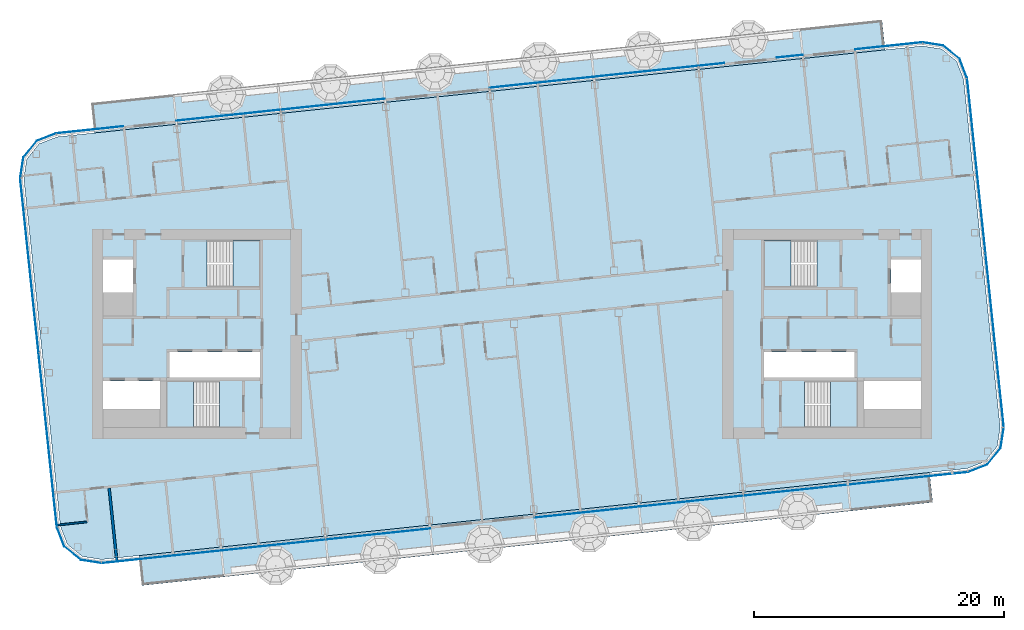
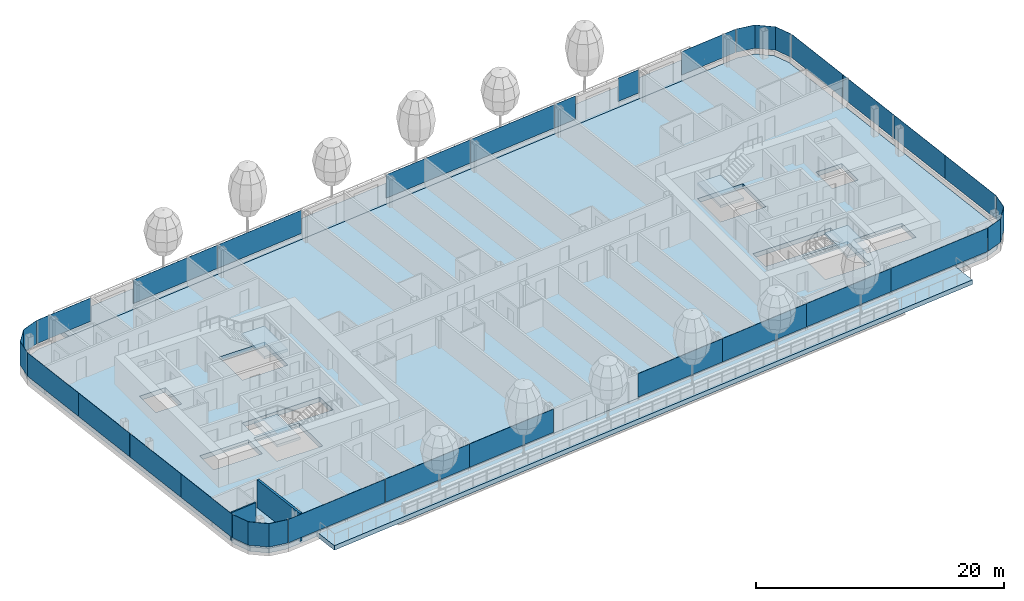
# One storey, part 11 of 30: 27 plates, 7 slabs, 2 walls, 12 elements without a shape of their own.
"""IFC4 building model written with IfcOpenShell, lengths in metres."""

import ifcopenshell
import ifcopenshell.guid

model = None  # the IFC model being written
_history = None  # IfcOwnerHistory: only IFC2X3 demands one
_inside = {}  # id of a spatial element -> (the spatial element, [elements in it])
_under = {}  # id of a project, library or spatial element -> (it, [spatial elements below it])
_declared = {}  # id of a project -> (the project, [libraries it declares])
_typed = {}  # id of a type object -> (the type object, [elements of that type])
_made_of = {}  # id of a material, layer set ... -> (it, [elements and type objects made of it])


def new_model(schema):
    """Start an empty IFC model of exactly this schema.

    Asked for "IFC4X3", IfcOpenShell would pick the latest addendum, in which some entities
    have other attributes; the version numbers below select the first issue.
    IFC2X3 requires an IfcOwnerHistory on every rooted entity: one is made here for all.
    """
    global model, _history
    if schema == "IFC4X3":
        model = ifcopenshell.file(schema_version=(4, 3, 0, 0))
    else:
        model = ifcopenshell.file(schema=schema)
    _inside.clear()
    _under.clear()
    _declared.clear()
    _typed.clear()
    _made_of.clear()
    _history = None
    if model.schema == "IFC2X3":
        org = make("IfcOrganization", Name="unknown")
        user = make(
            "IfcPersonAndOrganization",
            ThePerson=make("IfcPerson", FamilyName="unknown"),
            TheOrganization=org,
        )
        app = make(
            "IfcApplication",
            ApplicationDeveloper=org,
            Version="unknown",
            ApplicationFullName="unknown",
            ApplicationIdentifier="unknown",
        )
        _history = make(
            "IfcOwnerHistory",
            OwningUser=user,
            OwningApplication=app,
            ChangeAction="ADDED",
            CreationDate=0,
        )
    return model


def make(cls, **values):
    """One entity of the class cls with the attributes given. An attribute that is None is left unset."""
    return model.create_entity(
        cls, **{name: value for name, value in values.items() if value is not None}
    )


def rooted(cls, **values):
    """An entity with a GlobalId (a new one), such as an element, a storey or a relation."""
    return make(cls, GlobalId=ifcopenshell.guid.new(), OwnerHistory=_history, **values)


def si_unit(unit_type, name, prefix=None):
    """IfcSIUnit, for example si_unit("LENGTHUNIT", "METRE", prefix="MILLI")."""
    return make("IfcSIUnit", UnitType=unit_type, Prefix=prefix, Name=name)


def assignment(units):
    """IfcUnitAssignment: the units of a project."""
    return None if units is None else make("IfcUnitAssignment", Units=units)


def point(xyz):
    """IfcCartesianPoint."""
    return None if xyz is None else make("IfcCartesianPoint", Coordinates=xyz)


def direction(xyz):
    """IfcDirection."""
    return None if xyz is None else make("IfcDirection", DirectionRatios=xyz)


def frame(location, z_axis=None, x_axis=None):
    """IfcAxis2Placement3D, a coordinate frame: its origin and axes. An axis left out is left unset."""
    return make(
        "IfcAxis2Placement3D",
        Location=point(location),
        Axis=direction(z_axis),
        RefDirection=direction(x_axis),
    )


def frame_2d(location, x_axis=None):
    """IfcAxis2Placement2D, a coordinate frame in the plane: its origin and x axis."""
    return make(
        "IfcAxis2Placement2D", Location=point(location), RefDirection=direction(x_axis)
    )


def origin():
    """The frame at (0, 0, 0) with its axes left unset."""
    return frame((0.0, 0.0, 0.0))


def origin_2d():
    """The frame at (0, 0) in the plane with its x axis left unset."""
    return frame_2d((0.0, 0.0))


def place(relative_to, where):
    """IfcLocalPlacement: puts the frame where relative to a parent placement (None: the world)."""
    return make(
        "IfcLocalPlacement", PlacementRelTo=relative_to, RelativePlacement=where
    )


def context(
    kind, dimensions, precision=None, world=None, true_north=None, identifier=None
):
    """IfcGeometricRepresentationContext, for example the 3D "Model" context."""
    return make(
        "IfcGeometricRepresentationContext",
        ContextIdentifier=identifier,
        ContextType=kind,
        CoordinateSpaceDimension=dimensions,
        Precision=precision,
        WorldCoordinateSystem=world,
        TrueNorth=true_north,
    )


def subcontext(parent, identifier, kind, view, scale=None):
    """IfcGeometricRepresentationSubContext, for example "Body" below "Model"."""
    return make(
        "IfcGeometricRepresentationSubContext",
        ContextIdentifier=identifier,
        ContextType=kind,
        ParentContext=parent,
        TargetScale=scale,
        TargetView=view,
    )


def project(units=None, contexts=None):
    """IfcProject with its units and contexts."""
    return rooted(
        "IfcProject",
        Name="project",
        RepresentationContexts=contexts,
        UnitsInContext=assignment(units),
    )


def spatial(cls, under=None, at=None, **own):
    """A site, building, storey or space (cls), placed at a placement, below another one or the project."""
    s = rooted(cls, ObjectPlacement=at, **own)
    if under is not None:
        _under.setdefault(under.id(), (under, []))[1].append(s)
    return s


def polyline(points):
    """IfcPolyline through the points."""
    return make("IfcPolyline", Points=[point(p) for p in points])


def profile(cls, at=None, kind="AREA", **sizes):
    """A parametric profile (cls). Its sizes go by their IFC names, for example OverallWidth=200.0."""
    return make(cls, ProfileType=kind, Position=at, **sizes)


def rectangle(**sizes):
    """IfcRectangleProfileDef."""
    return profile("IfcRectangleProfileDef", **sizes)


def outline(outer, holes=None, kind="AREA"):
    """IfcArbitraryClosedProfileDef: a profile drawn as a closed curve; with holes, ...WithVoids."""
    if holes is None:
        return make("IfcArbitraryClosedProfileDef", ProfileType=kind, OuterCurve=outer)
    return make(
        "IfcArbitraryProfileDefWithVoids",
        ProfileType=kind,
        OuterCurve=outer,
        InnerCurves=holes,
    )


def extrude(swept, where, along, depth):
    """IfcExtrudedAreaSolid: the profile swept, set in the frame where, extruded along a direction by depth."""
    return make(
        "IfcExtrudedAreaSolid",
        SweptArea=swept,
        Position=where,
        ExtrudedDirection=direction(along),
        Depth=depth,
    )


def shape(context_of_items, identifier, shape_type, items):
    """IfcShapeRepresentation: the items that make up one representation, for example the "Body"."""
    return make(
        "IfcShapeRepresentation",
        ContextOfItems=context_of_items,
        RepresentationIdentifier=identifier,
        RepresentationType=shape_type,
        Items=items,
    )


def material(Name=None, Category=None):
    """IfcMaterial."""
    return make("IfcMaterial", Name=Name, Category=Category)


def layer(
    of_material, thickness, ventilated=None, Name=None, Category=None, Priority=None
):
    """IfcMaterialLayer: one layer of a wall or slab, of a material (None: an air gap)."""
    return make(
        "IfcMaterialLayer",
        Material=of_material,
        LayerThickness=thickness,
        IsVentilated=ventilated,
        Name=Name,
        Category=Category,
        Priority=Priority,
    )


def layer_set(layers, Name=None):
    """IfcMaterialLayerSet."""
    return make("IfcMaterialLayerSet", MaterialLayers=layers, LayerSetName=Name)


def made_of(thing, what):
    """Note that an element or type object is made of a material, layer set ...; save() writes the relation."""
    if what is not None:
        _made_of.setdefault(what.id(), (what, []))[1].append(thing)
    return thing


def type_object(cls, material=None, **own):
    """A type object (cls), such as IfcWallType, which elements share."""
    return made_of(rooted(cls, **own), material)


def element(
    cls,
    number,
    at=None,
    inside=None,
    cuts=None,
    type_object=None,
    material=None,
    context=None,
    identifier="Body",
    shape_type=None,
    held_by="IfcProductDefinitionShape",
    body=None,
    shapes=None,
    **own,
):
    """One element of the class cls, such as IfcWall. Its Tag is "e" and its number.

    at: its placement. inside: the storey or other place that contains it. cuts: it is an
    opening in that element (IfcRelVoidsElement). A single representation is given by context,
    identifier, shape_type and body (its items); several are given by shapes. held_by: the class
    of the entity that holds the representations. save() writes the other relations.
    """
    e = rooted(cls, Tag="e%d" % number, ObjectPlacement=at, **own)
    if body is not None:
        shapes = [shape(context, identifier, shape_type, body)]
    if shapes is not None:
        e.Representation = make(held_by, Representations=shapes)
    if inside is not None:
        _inside.setdefault(inside.id(), (inside, []))[1].append(e)
    if cuts is not None:
        rooted(
            "IfcRelVoidsElement", RelatingBuildingElement=cuts, RelatedOpeningElement=e
        )
    if type_object is not None:
        _typed.setdefault(type_object.id(), (type_object, []))[1].append(e)
    return made_of(e, material)


def aggregate(whole, parts):
    """IfcRelAggregates: a whole, such as a stair, and the parts it consists of."""
    return rooted("IfcRelAggregates", RelatingObject=whole, RelatedObjects=parts)


def save(model, path):
    """Write the relations noted so far, then the file.

    IfcRelAggregates (storeys below a building ...), IfcRelContainedInSpatialStructure (elements
    in a storey), IfcRelDefinesByType, IfcRelAssociatesMaterial and IfcRelDeclares: one each for
    every whole, place, type object, material and project.
    """
    for whole, parts in _under.values():
        aggregate(whole, parts)
    for where, things in _inside.values():
        rooted(
            "IfcRelContainedInSpatialStructure",
            RelatedElements=things,
            RelatingStructure=where,
        )
    for kind, things in _typed.values():
        rooted("IfcRelDefinesByType", RelatedObjects=things, RelatingType=kind)
    for what, things in _made_of.values():
        rooted("IfcRelAssociatesMaterial", RelatedObjects=things, RelatingMaterial=what)
    for by, libraries in _declared.values():
        rooted("IfcRelDeclares", RelatingContext=by, RelatedDefinitions=libraries)
    model.write(path)


model = new_model("IFC4")

# Units and contexts
model_context = context("Model", 3, precision=1e-05, world=origin(), true_north=direction((0.0, 1.0)))
body_context = subcontext(model_context, "Body", "Model", "MODEL_VIEW")
ifc_project = project(units=[si_unit("LENGTHUNIT", "METRE"), si_unit("AREAUNIT", "SQUARE_METRE"), si_unit("VOLUMEUNIT", "CUBIC_METRE"), si_unit("PLANEANGLEUNIT", "RADIAN"), si_unit("MASSUNIT", "GRAM", prefix="KILO")], contexts=[model_context])

# Site, building, storey
site_placement = place(None, origin())
site = spatial("IfcSite", under=ifc_project, at=site_placement, CompositionType="ELEMENT")
building_placement = place(site_placement, origin())
building = spatial("IfcBuilding", under=site, at=building_placement, Name="Hakoniwa Tower and Hamabe Station Hall", CompositionType="ELEMENT")
storey_placement = place(building_placement, frame((0.0, 0.0, 245.39990234375)))
storey = spatial("IfcBuildingStorey", under=building, at=storey_placement, Name="L69", CompositionType="ELEMENT", Elevation=245.39990234375)

# Slabs
ifc_material_1 = material(Name="Concrete C42", Category="concrete")
ifc_layer_1 = layer(ifc_material_1, 0.25)
ifc_layer_set_1 = layer_set([ifc_layer_1], Name="BALCONY SLAB 250")
slab_type_1 = type_object("IfcSlabType", Name="BALCONY SLAB 250", PredefinedType="FLOOR", material=ifc_layer_set_1)
slab_1_placement = place(storey_placement, frame((0.0, 0.0, -0.449951171875)))
element("IfcSlab", 1, at=slab_1_placement, inside=storey, type_object=slab_type_1, Name="Balcony slab L69 BAL-L69-N", PredefinedType="FLOOR", context=body_context, shape_type="SweptSolid", body=[
    extrude(outline(polyline([(-33.40283203125, 16.0830078125), (29.848876953125, 22.73095703125), (29.597900390625, 25.11767578125), (-33.653564453125, 18.4697265625), (-33.40283203125, 16.0830078125)])), origin(), (0.0, 0.0, 1.0), 0.449951171875),
])
slab_2_placement = place(storey_placement, frame((0.0, 0.0, -0.449951171875)))
element("IfcSlab", 2, at=slab_2_placement, inside=storey, type_object=slab_type_1, Name="Balcony slab L69 BAL-L69-S", PredefinedType="FLOOR", context=body_context, shape_type="SweptSolid", body=[
    extrude(outline(polyline([(-29.597900390625, -20.11767578125), (33.653564453125, -13.4697265625), (33.40283203125, -11.0830078125), (-29.848876953125, -17.73095703125), (-29.597900390625, -20.11767578125)])), origin(), (0.0, 0.0, 1.0), 0.449951171875),
])

# Stair, slab
ifc_material_2 = material(Name="Concrete C40", Category="concrete")
stair_type = type_object("IfcStairType", Name="ESCAPE STAIR 1800", PredefinedType="HALF_TURN_STAIR", material=ifc_material_2)
stair_1_placement = place(storey_placement, origin())
stair_1 = element("IfcStair", 3, at=stair_1_placement, inside=storey, type_object=stair_type, Name="Escape stair ST-1 L69", PredefinedType="HALF_TURN_STAIR")
ifc_material_3 = material(Name="Concrete C40", Category="concrete")
ifc_layer_2 = layer(ifc_material_3, 0.25)
ifc_layer_set_2 = layer_set([ifc_layer_2], Name="CORE STAIR LANDING 250")
slab_type_2 = type_object("IfcSlabType", Name="CORE STAIR LANDING 250", PredefinedType="LANDING", material=ifc_layer_set_2)
slab_3_placement = place(storey_placement, frame((0.0, 0.0, 1.35009765625)))
slab_3 = element("IfcSlab", 4, at=slab_3_placement, type_object=slab_type_2, Name="ST-1 landing 1", PredefinedType="LANDING", context=body_context, shape_type="SweptSolid", body=[
    extrude(outline(polyline([(-22.320068359375, 3.75), (-20.14990234375, 3.75), (-20.14990234375, 7.5), (-22.320068359375, 7.5), (-22.320068359375, 3.75)])), origin(), (0.0, 0.0, 1.0), 0.25),
])
aggregate(stair_1, [slab_3])

stair_2_placement = place(storey_placement, origin())
stair_2 = element("IfcStair", 5, at=stair_2_placement, inside=storey, type_object=stair_type, Name="Escape stair ST-2 L69", PredefinedType="HALF_TURN_STAIR")
slab_4_placement = place(storey_placement, frame((0.0, 0.0, 1.35009765625)))
slab_4 = element("IfcSlab", 6, at=slab_4_placement, type_object=slab_type_2, Name="ST-2 landing 1", PredefinedType="LANDING", context=body_context, shape_type="SweptSolid", body=[
    extrude(outline(polyline([(-25.47998046875, -7.5), (-27.64990234375, -7.5), (-27.64990234375, -3.75), (-25.47998046875, -3.75), (-25.47998046875, -7.5)])), origin(), (0.0, 0.0, 1.0), 0.25),
])
aggregate(stair_2, [slab_4])

stair_3_placement = place(storey_placement, origin())
stair_3 = element("IfcStair", 7, at=stair_3_placement, inside=storey, type_object=stair_type, Name="Escape stair ST-3 L69", PredefinedType="HALF_TURN_STAIR")
slab_5_placement = place(storey_placement, frame((0.0, 0.0, 1.35009765625)))
slab_5 = element("IfcSlab", 8, at=slab_5_placement, type_object=slab_type_2, Name="ST-3 landing 1", PredefinedType="LANDING", context=body_context, shape_type="SweptSolid", body=[
    extrude(outline(polyline([(22.320068359375, 3.75), (20.14990234375, 3.75), (20.14990234375, 7.5), (22.320068359375, 7.5), (22.320068359375, 3.75)])), origin(), (0.0, 0.0, 1.0), 0.25),
])
aggregate(stair_3, [slab_5])

stair_4_placement = place(storey_placement, origin())
stair_4 = element("IfcStair", 9, at=stair_4_placement, inside=storey, type_object=stair_type, Name="Escape stair ST-4 L69", PredefinedType="HALF_TURN_STAIR")
slab_6_placement = place(storey_placement, frame((0.0, 0.0, 1.35009765625)))
slab_6 = element("IfcSlab", 10, at=slab_6_placement, type_object=slab_type_2, Name="ST-4 landing 1", PredefinedType="LANDING", context=body_context, shape_type="SweptSolid", body=[
    extrude(outline(polyline([(25.47998046875, -7.5), (27.64990234375, -7.5), (27.64990234375, -3.75), (25.47998046875, -3.75), (25.47998046875, -7.5)])), origin(), (0.0, 0.0, 1.0), 0.25),
])
aggregate(stair_4, [slab_6])

# Curtain wall, plates
ifc_material_4 = material(Name="Dark low-e laminated glass", Category="glass")
ifc_layer_3 = layer(ifc_material_4, 0.199951171875)
ifc_layer_set_3 = layer_set([ifc_layer_3], Name="CW-1 UNITISED GUEST")
curtain_wall_type = type_object("IfcCurtainWallType", Name="CW-1 UNITISED GUEST", PredefinedType="NOTDEFINED", material=ifc_layer_set_3)
curtain_wall_1_placement = place(storey_placement, origin())
curtain_wall_1 = element("IfcCurtainWall", 11, at=curtain_wall_1_placement, inside=storey, type_object=curtain_wall_type, Name="CW-1 curtain wall", PredefinedType="NOTDEFINED")
ifc_material_5 = material(Name="Dark low-e laminated glass", Category="glass")
ifc_layer_4 = layer(ifc_material_5, 0.028076171875)
ifc_layer_set_4 = layer_set([ifc_layer_4], Name="CW-1 GLASS UNIT")
plate_type = type_object("IfcPlateType", Name="CW-1 GLASS UNIT", PredefinedType="CURTAIN_PANEL", material=ifc_layer_set_4)
plate_1_placement = place(storey_placement, frame((38.97802734375, -3.990966796875, 0.35009765625), z_axis=(0.0, 0.0, 1.0), x_axis=(-0.104528468631, 0.994521894805, 0.0)))
plate_1 = element("IfcPlate", 12, at=plate_1_placement, type_object=plate_type, Name="CW-1 glass unit", PredefinedType="CURTAIN_PANEL", context=body_context, shape_type="SweptSolid", body=[
    extrude(rectangle(XDim=6.999755859375, YDim=0.028076171875, at=origin_2d()), origin(), (0.0, 0.0, 1.0), 2.300048828125),
])
plate_2_placement = place(storey_placement, frame((38.244140625, 2.990478515625, 0.35009765625), z_axis=(0.0, 0.0, 1.0), x_axis=(-0.104528468631, 0.994521894805, 0.0)))
plate_2 = element("IfcPlate", 13, at=plate_2_placement, type_object=plate_type, Name="CW-1 glass unit", PredefinedType="CURTAIN_PANEL", context=body_context, shape_type="SweptSolid", body=[
    extrude(rectangle(XDim=6.999755859375, YDim=0.028076171875, at=origin_2d()), origin(), (0.0, 0.0, 1.0), 2.300048828125),
])
plate_3_placement = place(storey_placement, frame((37.510498046875, 9.9716796875, 0.35009765625), z_axis=(0.0, 0.0, 1.0), x_axis=(-0.104528468631, 0.994521894805, 0.0)))
plate_3 = element("IfcPlate", 14, at=plate_3_placement, type_object=plate_type, Name="CW-1 glass unit", PredefinedType="CURTAIN_PANEL", context=body_context, shape_type="SweptSolid", body=[
    extrude(rectangle(XDim=6.999755859375, YDim=0.028076171875, at=origin_2d()), origin(), (0.0, 0.0, 1.0), 2.300048828125),
])
plate_4_placement = place(storey_placement, frame((36.776611328125, 16.953125, 0.35009765625), z_axis=(0.0, 0.0, 1.0), x_axis=(-0.104528468631, 0.994521894805, 0.0)))
plate_4 = element("IfcPlate", 15, at=plate_4_placement, type_object=plate_type, Name="CW-1 glass unit", PredefinedType="CURTAIN_PANEL", context=body_context, shape_type="SweptSolid", body=[
    extrude(rectangle(XDim=6.999755859375, YDim=0.028076171875, at=origin_2d()), origin(), (0.0, 0.0, 1.0), 2.300048828125),
])
aggregate(curtain_wall_1, [plate_1, plate_2, plate_3, plate_4])

# Curtain wall, plate
curtain_wall_2_placement = place(storey_placement, origin())
curtain_wall_2 = element("IfcCurtainWall", 16, at=curtain_wall_2_placement, inside=storey, type_object=curtain_wall_type, Name="CW-1 curtain wall", PredefinedType="NOTDEFINED")
plate_5_placement = place(storey_placement, frame((0.0, 0.0, 0.35009765625)))
plate_5 = element("IfcPlate", 17, at=plate_5_placement, type_object=plate_type, Name="CW-1 curved corner unit", PredefinedType="CURTAIN_PANEL", context=body_context, shape_type="SweptSolid", body=[
    extrude(outline(polyline([(36.409423828125, 20.482421875), (35.82421875, 22.0068359375), (34.492431640625, 23.085205078125), (32.8798828125, 23.340576171875), (32.87548828125, 23.31298828125), (34.480712890625, 23.058837890625), (35.80078125, 21.98974609375), (36.38330078125, 20.472412109375), (36.409423828125, 20.482421875)])), origin(), (0.0, 0.0, 1.0), 2.300048828125),
])
aggregate(curtain_wall_2, [plate_5])

# Curtain wall, plates
curtain_wall_3_placement = place(storey_placement, origin())
curtain_wall_3 = element("IfcCurtainWall", 18, at=curtain_wall_3_placement, inside=storey, type_object=curtain_wall_type, Name="CW-1 curtain wall", PredefinedType="NOTDEFINED")
plate_6_placement = place(storey_placement, frame((30.15185546875, 23.05029296875, 0.35009765625), z_axis=(0.0, 0.0, 1.0), x_axis=(-0.994521895272, -0.104528464188, 0.0)))
plate_6 = element("IfcPlate", 19, at=plate_6_placement, type_object=plate_type, Name="CW-1 glass unit", PredefinedType="CURTAIN_PANEL", context=body_context, shape_type="SweptSolid", body=[
    extrude(rectangle(XDim=5.389404296875, YDim=0.028076171875, at=origin_2d()), origin(), (0.0, 0.0, 1.0), 2.300048828125),
])
plate_7_placement = place(storey_placement, frame((22.2109375, 22.215576171875, 0.35009765625), z_axis=(0.0, 0.0, 1.0), x_axis=(-0.994521895272, -0.104528464188, 0.0)))
plate_7 = element("IfcPlate", 20, at=plate_7_placement, type_object=plate_type, Name="CW-1 glass unit", PredefinedType="CURTAIN_PANEL", context=body_context, shape_type="SweptSolid", body=[
    extrude(rectangle(XDim=2.080078125, YDim=0.028076171875, at=origin_2d()), origin(), (0.0, 0.0, 1.0), 2.300048828125),
])
plate_8_placement = place(storey_placement, frame((15.9453125, 21.55712890625, 0.35009765625), z_axis=(0.0, 0.0, 1.0), x_axis=(-0.994521895272, -0.104528464188, 0.0)))
plate_8 = element("IfcPlate", 21, at=plate_8_placement, type_object=plate_type, Name="CW-1 glass unit", PredefinedType="CURTAIN_PANEL", context=body_context, shape_type="SweptSolid", body=[
    extrude(rectangle(XDim=2.080078125, YDim=0.028076171875, at=origin_2d()), origin(), (0.0, 0.0, 1.0), 2.300048828125),
])
plate_9_placement = place(storey_placement, frame((10.72412109375, 21.00830078125, 0.35009765625), z_axis=(0.0, 0.0, 1.0), x_axis=(-0.994521895272, -0.104528464188, 0.0)))
plate_9 = element("IfcPlate", 22, at=plate_9_placement, type_object=plate_type, Name="CW-1 glass unit", PredefinedType="CURTAIN_PANEL", context=body_context, shape_type="SweptSolid", body=[
    extrude(rectangle(XDim=8.3798828125, YDim=0.028076171875, at=origin_2d()), origin(), (0.0, 0.0, 1.0), 2.300048828125),
])
plate_10_placement = place(storey_placement, frame((2.3701171875, 20.13037109375, 0.35009765625), z_axis=(0.0, 0.0, 1.0), x_axis=(-0.994521895272, -0.104528464188, 0.0)))
plate_10 = element("IfcPlate", 23, at=plate_10_placement, type_object=plate_type, Name="CW-1 glass unit", PredefinedType="CURTAIN_PANEL", context=body_context, shape_type="SweptSolid", body=[
    extrude(rectangle(XDim=8.3798828125, YDim=0.028076171875, at=origin_2d()), origin(), (0.0, 0.0, 1.0), 2.300048828125),
])
plate_11_placement = place(storey_placement, frame((-14.337890625, 18.374267578125, 0.35009765625), z_axis=(0.0, 0.0, 1.0), x_axis=(-0.994521895272, -0.104528464188, 0.0)))
plate_11 = element("IfcPlate", 24, at=plate_11_placement, type_object=plate_type, Name="CW-1 glass unit", PredefinedType="CURTAIN_PANEL", context=body_context, shape_type="SweptSolid", body=[
    extrude(rectangle(XDim=8.3798828125, YDim=0.028076171875, at=origin_2d()), origin(), (0.0, 0.0, 1.0), 2.300048828125),
])
plate_12_placement = place(storey_placement, frame((-22.69189453125, 17.49609375, 0.35009765625), z_axis=(0.0, 0.0, 1.0), x_axis=(-0.994521895272, -0.104528464188, 0.0)))
plate_12 = element("IfcPlate", 25, at=plate_12_placement, type_object=plate_type, Name="CW-1 glass unit", PredefinedType="CURTAIN_PANEL", context=body_context, shape_type="SweptSolid", body=[
    extrude(rectangle(XDim=8.3798828125, YDim=0.028076171875, at=origin_2d()), origin(), (0.0, 0.0, 1.0), 2.300048828125),
])
plate_13_placement = place(storey_placement, frame((-33.765625, 16.332275390625, 0.35009765625), z_axis=(0.0, 0.0, 1.0), x_axis=(-0.994521895272, -0.104528464188, 0.0)))
plate_13 = element("IfcPlate", 26, at=plate_13_placement, type_object=plate_type, Name="CW-1 glass unit", PredefinedType="CURTAIN_PANEL", context=body_context, shape_type="SweptSolid", body=[
    extrude(rectangle(XDim=5.389404296875, YDim=0.028076171875, at=origin_2d()), origin(), (0.0, 0.0, 1.0), 2.300048828125),
])
aggregate(curtain_wall_3, [plate_6, plate_7, plate_8, plate_9, plate_10, plate_11, plate_12, plate_13])

# Curtain wall, plate
curtain_wall_4_placement = place(storey_placement, origin())
curtain_wall_4 = element("IfcCurtainWall", 27, at=curtain_wall_4_placement, inside=storey, type_object=curtain_wall_type, Name="CW-1 curtain wall", PredefinedType="NOTDEFINED")
plate_14_placement = place(storey_placement, frame((0.0, 0.0, 0.35009765625)))
plate_14 = element("IfcPlate", 28, at=plate_14_placement, type_object=plate_type, Name="CW-1 curved corner unit", PredefinedType="CURTAIN_PANEL", context=body_context, shape_type="SweptSolid", body=[
    extrude(outline(polyline([(-36.494384765625, 16.049072265625), (-38.0185546875, 15.464111328125), (-39.09716796875, 14.13232421875), (-39.3525390625, 12.51953125), (-39.324951171875, 12.51513671875), (-39.070556640625, 14.120361328125), (-38.001708984375, 15.440673828125), (-36.484375, 16.02294921875), (-36.494384765625, 16.049072265625)])), origin(), (0.0, 0.0, 1.0), 2.300048828125),
])
aggregate(curtain_wall_4, [plate_14])

# Curtain wall, plates
curtain_wall_5_placement = place(storey_placement, origin())
curtain_wall_5 = element("IfcCurtainWall", 29, at=curtain_wall_5_placement, inside=storey, type_object=curtain_wall_type, Name="CW-1 curtain wall", PredefinedType="NOTDEFINED")
plate_15_placement = place(storey_placement, frame((-38.97802734375, 8.990966796875, 0.35009765625), z_axis=(0.0, 0.0, 1.0), x_axis=(0.104528468631, -0.994521894805, 0.0)))
plate_15 = element("IfcPlate", 30, at=plate_15_placement, type_object=plate_type, Name="CW-1 glass unit", PredefinedType="CURTAIN_PANEL", context=body_context, shape_type="SweptSolid", body=[
    extrude(rectangle(XDim=6.999755859375, YDim=0.028076171875, at=origin_2d()), origin(), (0.0, 0.0, 1.0), 2.300048828125),
])
plate_16_placement = place(storey_placement, frame((-38.244140625, 2.009521484375, 0.35009765625), z_axis=(0.0, 0.0, 1.0), x_axis=(0.104528468631, -0.994521894805, 0.0)))
plate_16 = element("IfcPlate", 31, at=plate_16_placement, type_object=plate_type, Name="CW-1 glass unit", PredefinedType="CURTAIN_PANEL", context=body_context, shape_type="SweptSolid", body=[
    extrude(rectangle(XDim=6.999755859375, YDim=0.028076171875, at=origin_2d()), origin(), (0.0, 0.0, 1.0), 2.300048828125),
])
plate_17_placement = place(storey_placement, frame((-37.510498046875, -4.9716796875, 0.35009765625), z_axis=(0.0, 0.0, 1.0), x_axis=(0.104528468631, -0.994521894805, 0.0)))
plate_17 = element("IfcPlate", 32, at=plate_17_placement, type_object=plate_type, Name="CW-1 glass unit", PredefinedType="CURTAIN_PANEL", context=body_context, shape_type="SweptSolid", body=[
    extrude(rectangle(XDim=6.999755859375, YDim=0.028076171875, at=origin_2d()), origin(), (0.0, 0.0, 1.0), 2.300048828125),
])
plate_18_placement = place(storey_placement, frame((-36.776611328125, -11.953125, 0.35009765625), z_axis=(0.0, 0.0, 1.0), x_axis=(0.104528468631, -0.994521894805, 0.0)))
plate_18 = element("IfcPlate", 33, at=plate_18_placement, type_object=plate_type, Name="CW-1 glass unit", PredefinedType="CURTAIN_PANEL", context=body_context, shape_type="SweptSolid", body=[
    extrude(rectangle(XDim=6.999755859375, YDim=0.028076171875, at=origin_2d()), origin(), (0.0, 0.0, 1.0), 2.300048828125),
])
aggregate(curtain_wall_5, [plate_15, plate_16, plate_17, plate_18])

# Curtain wall, plate
curtain_wall_6_placement = place(storey_placement, origin())
curtain_wall_6 = element("IfcCurtainWall", 34, at=curtain_wall_6_placement, inside=storey, type_object=curtain_wall_type, Name="CW-1 curtain wall", PredefinedType="NOTDEFINED")
plate_19_placement = place(storey_placement, frame((0.0, 0.0, 0.35009765625)))
plate_19 = element("IfcPlate", 35, at=plate_19_placement, type_object=plate_type, Name="CW-1 curved corner unit", PredefinedType="CURTAIN_PANEL", context=body_context, shape_type="SweptSolid", body=[
    extrude(outline(polyline([(-36.409423828125, -15.482421875), (-35.82421875, -17.0068359375), (-34.492431640625, -18.085205078125), (-32.8798828125, -18.340576171875), (-32.87548828125, -18.31298828125), (-34.480712890625, -18.058837890625), (-35.80078125, -16.98974609375), (-36.38330078125, -15.472412109375), (-36.409423828125, -15.482421875)])), origin(), (0.0, 0.0, 1.0), 2.300048828125),
])
aggregate(curtain_wall_6, [plate_19])

# Curtain wall, plates
curtain_wall_7_placement = place(storey_placement, origin())
curtain_wall_7 = element("IfcCurtainWall", 36, at=curtain_wall_7_placement, inside=storey, type_object=curtain_wall_type, Name="CW-1 curtain wall", PredefinedType="NOTDEFINED")
plate_20_placement = place(storey_placement, frame((-28.04833984375, -17.829345703125, 0.35009765625), z_axis=(0.0, 0.0, 1.0), x_axis=(0.994521895272, 0.104528464188, 0.0)))
plate_20 = element("IfcPlate", 37, at=plate_20_placement, type_object=plate_type, Name="CW-1 glass unit", PredefinedType="CURTAIN_PANEL", context=body_context, shape_type="SweptSolid", body=[
    extrude(rectangle(XDim=9.619384765625, YDim=0.028076171875, at=origin_2d()), origin(), (0.0, 0.0, 1.0), 2.300048828125),
])
plate_21_placement = place(storey_placement, frame((-19.078125, -16.886474609375, 0.35009765625), z_axis=(0.0, 0.0, 1.0), x_axis=(0.994521895272, 0.104528464188, 0.0)))
plate_21 = element("IfcPlate", 38, at=plate_21_placement, type_object=plate_type, Name="CW-1 glass unit", PredefinedType="CURTAIN_PANEL", context=body_context, shape_type="SweptSolid", body=[
    extrude(rectangle(XDim=8.3798828125, YDim=0.028076171875, at=origin_2d()), origin(), (0.0, 0.0, 1.0), 2.300048828125),
])
plate_22_placement = place(storey_placement, frame((-10.72412109375, -16.00830078125, 0.35009765625), z_axis=(0.0, 0.0, 1.0), x_axis=(0.994521895272, 0.104528464188, 0.0)))
plate_22 = element("IfcPlate", 39, at=plate_22_placement, type_object=plate_type, Name="CW-1 glass unit", PredefinedType="CURTAIN_PANEL", context=body_context, shape_type="SweptSolid", body=[
    extrude(rectangle(XDim=8.3798828125, YDim=0.028076171875, at=origin_2d()), origin(), (0.0, 0.0, 1.0), 2.300048828125),
])
plate_23_placement = place(storey_placement, frame((5.98388671875, -14.252197265625, 0.35009765625), z_axis=(0.0, 0.0, 1.0), x_axis=(0.994521895272, 0.104528464188, 0.0)))
plate_23 = element("IfcPlate", 40, at=plate_23_placement, type_object=plate_type, Name="CW-1 glass unit", PredefinedType="CURTAIN_PANEL", context=body_context, shape_type="SweptSolid", body=[
    extrude(rectangle(XDim=8.3798828125, YDim=0.028076171875, at=origin_2d()), origin(), (0.0, 0.0, 1.0), 2.300048828125),
])
plate_24_placement = place(storey_placement, frame((14.337890625, -13.374267578125, 0.35009765625), z_axis=(0.0, 0.0, 1.0), x_axis=(0.994521895272, 0.104528464188, 0.0)))
plate_24 = element("IfcPlate", 41, at=plate_24_placement, type_object=plate_type, Name="CW-1 glass unit", PredefinedType="CURTAIN_PANEL", context=body_context, shape_type="SweptSolid", body=[
    extrude(rectangle(XDim=8.3798828125, YDim=0.028076171875, at=origin_2d()), origin(), (0.0, 0.0, 1.0), 2.300048828125),
])
plate_25_placement = place(storey_placement, frame((22.69189453125, -12.49609375, 0.35009765625), z_axis=(0.0, 0.0, 1.0), x_axis=(0.994521895272, 0.104528464188, 0.0)))
plate_25 = element("IfcPlate", 42, at=plate_25_placement, type_object=plate_type, Name="CW-1 glass unit", PredefinedType="CURTAIN_PANEL", context=body_context, shape_type="SweptSolid", body=[
    extrude(rectangle(XDim=8.3798828125, YDim=0.028076171875, at=origin_2d()), origin(), (0.0, 0.0, 1.0), 2.300048828125),
])
plate_26_placement = place(storey_placement, frame((31.662109375, -11.553466796875, 0.35009765625), z_axis=(0.0, 0.0, 1.0), x_axis=(0.994521895272, 0.104528464188, 0.0)))
plate_26 = element("IfcPlate", 43, at=plate_26_placement, type_object=plate_type, Name="CW-1 glass unit", PredefinedType="CURTAIN_PANEL", context=body_context, shape_type="SweptSolid", body=[
    extrude(rectangle(XDim=9.619384765625, YDim=0.028076171875, at=origin_2d()), origin(), (0.0, 0.0, 1.0), 2.300048828125),
])
aggregate(curtain_wall_7, [plate_20, plate_21, plate_22, plate_23, plate_24, plate_25, plate_26])

# Curtain wall, plate
curtain_wall_8_placement = place(storey_placement, origin())
curtain_wall_8 = element("IfcCurtainWall", 44, at=curtain_wall_8_placement, inside=storey, type_object=curtain_wall_type, Name="CW-1 curtain wall", PredefinedType="NOTDEFINED")
plate_27_placement = place(storey_placement, frame((0.0, 0.0, 0.35009765625)))
plate_27 = element("IfcPlate", 45, at=plate_27_placement, type_object=plate_type, Name="CW-1 curved corner unit", PredefinedType="CURTAIN_PANEL", context=body_context, shape_type="SweptSolid", body=[
    extrude(outline(polyline([(36.494384765625, -11.049072265625), (38.0185546875, -10.464111328125), (39.09716796875, -9.13232421875), (39.3525390625, -7.51953125), (39.324951171875, -7.51513671875), (39.070556640625, -9.120361328125), (38.001708984375, -10.440673828125), (36.484375, -11.02294921875), (36.494384765625, -11.049072265625)])), origin(), (0.0, 0.0, 1.0), 2.300048828125),
])
aggregate(curtain_wall_8, [plate_27])

# Slab
ifc_material_6 = material(Name="Concrete C42", Category="concrete")
ifc_layer_5 = layer(ifc_material_6, 0.449951171875)
ifc_layer_set_5 = layer_set([ifc_layer_5], Name="PT FLAT PLATE 450")
slab_type_3 = type_object("IfcSlabType", Name="PT FLAT PLATE 450", PredefinedType="FLOOR", material=ifc_layer_set_5)
slab_7_placement = place(storey_placement, frame((0.0, 0.0, -0.449951171875)))
element("IfcSlab", 46, at=slab_7_placement, inside=storey, type_object=slab_type_3, Name="Floor slab L69", PredefinedType="FLOOR", context=body_context, shape_type="SweptSolid", body=[
    extrude(outline(polyline([(39.056396484375, -7.47216796875), (36.12939453125, 20.37451171875), (35.572998046875, 21.82421875), (34.3662109375, 22.801513671875), (32.83251953125, 23.04443359375), (-36.38623046875, 15.769287109375), (-37.836181640625, 15.212890625), (-38.8134765625, 14.005859375), (-39.056396484375, 12.47216796875), (-36.12939453125, -15.37451171875), (-35.572998046875, -16.82421875), (-34.3662109375, -17.801513671875), (-32.83251953125, -18.04443359375), (36.38623046875, -10.769287109375), (37.836181640625, -10.212890625), (38.8134765625, -9.005859375), (39.056396484375, -7.47216796875)]), holes=[polyline([(-27.39990234375, -3.5), (-27.39990234375, -1.449951171875), (-20.14990234375, -1.449951171875), (-20.14990234375, -3.5), (-27.39990234375, -3.5)]), polyline([(-32.699951171875, 3.300048828125), (-32.699951171875, 5.949951171875), (-30.300048828125, 5.949951171875), (-30.300048828125, 3.300048828125), (-32.699951171875, 3.300048828125)]), polyline([(-32.699951171875, -6.0), (-32.699951171875, -3.75), (-28.14990234375, -3.75), (-28.14990234375, -6.0), (-32.699951171875, -6.0)]), polyline([(-24.389892578125, 3.75), (-24.389892578125, 7.5), (-20.14990234375, 7.5), (-20.14990234375, 3.75), (-24.389892578125, 3.75)]), polyline([(-27.64990234375, -7.5), (-27.64990234375, -3.75), (-23.409912109375, -3.75), (-23.409912109375, -7.5), (-27.64990234375, -7.5)]), polyline([(20.14990234375, -3.5), (20.14990234375, -1.449951171875), (27.39990234375, -1.449951171875), (27.39990234375, -3.5), (20.14990234375, -3.5)]), polyline([(30.300048828125, 3.300048828125), (30.300048828125, 5.949951171875), (32.699951171875, 5.949951171875), (32.699951171875, 3.300048828125), (30.300048828125, 3.300048828125)]), polyline([(28.14990234375, -6.0), (28.14990234375, -3.75), (32.699951171875, -3.75), (32.699951171875, -6.0), (28.14990234375, -6.0)]), polyline([(20.14990234375, 3.75), (20.14990234375, 7.5), (24.389892578125, 7.5), (24.389892578125, 3.75), (20.14990234375, 3.75)]), polyline([(23.409912109375, -7.5), (23.409912109375, -3.75), (27.64990234375, -3.75), (27.64990234375, -7.5), (23.409912109375, -7.5)])]), origin(), (0.0, 0.0, 1.0), 0.449951171875),
])

# Walls
ifc_material_7 = material(Name="Gypsum board partition", Category="gypsum")
ifc_layer_6 = layer(ifc_material_7, 0.125)
ifc_layer_set_6 = layer_set([ifc_layer_6], Name="Bathroom Partition 125")
wall_type_1 = type_object("IfcWallType", Name="Bathroom Partition 125", PredefinedType="PARTITIONING", material=ifc_layer_set_6)
wall_1_placement = place(storey_placement, frame((-36.43994140625, -15.290771484375, 0.0), z_axis=(0.0, 0.0, 1.0), x_axis=(0.994517520739, 0.10457007671, 0.0)))
element("IfcWall", 47, at=wall_1_placement, inside=storey, type_object=wall_type_1, Name="GW-L69-002", PredefinedType="PARTITIONING", context=body_context, shape_type="SweptSolid", body=[
    extrude(rectangle(XDim=2.4375, YDim=0.125, at=frame_2d((1.21875, 0.0))), origin(), (0.0, 0.0, 1.0), 2.75),
])
ifc_material_8 = material(Name="Fire-rated gypsum board partition", Category="gypsum")
ifc_layer_7 = layer(ifc_material_8, 0.199951171875)
ifc_layer_set_7 = layer_set([ifc_layer_7], Name="Party Wall 200")
wall_type_2 = type_object("IfcWallType", Name="Party Wall 200", PredefinedType="PARTITIONING", material=ifc_layer_set_7)
wall_2_placement = place(storey_placement, frame((-31.607666015625, -18.21728515625, 0.0), z_axis=(0.0, 0.0, 1.0), x_axis=(-0.10453655107, 0.994521045273, 0.0)))
element("IfcWall", 48, at=wall_2_placement, inside=storey, type_object=wall_type_2, Name="GW-L69-023", PredefinedType="PARTITIONING", context=body_context, shape_type="SweptSolid", body=[
    extrude(rectangle(XDim=5.915771484375, YDim=0.199951171875, at=frame_2d((2.9580078125, 0.0))), origin(), (0.0, 0.0, 1.0), 2.75),
])

save(model, "model.ifc")
